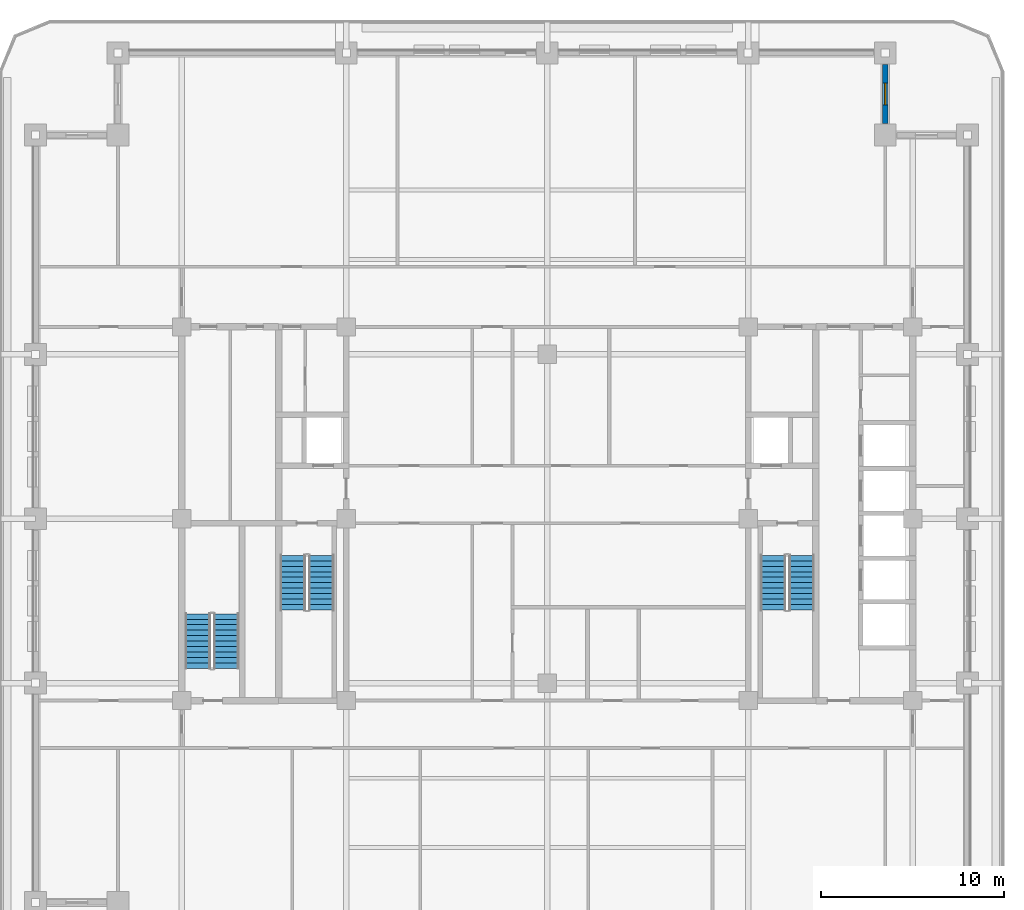
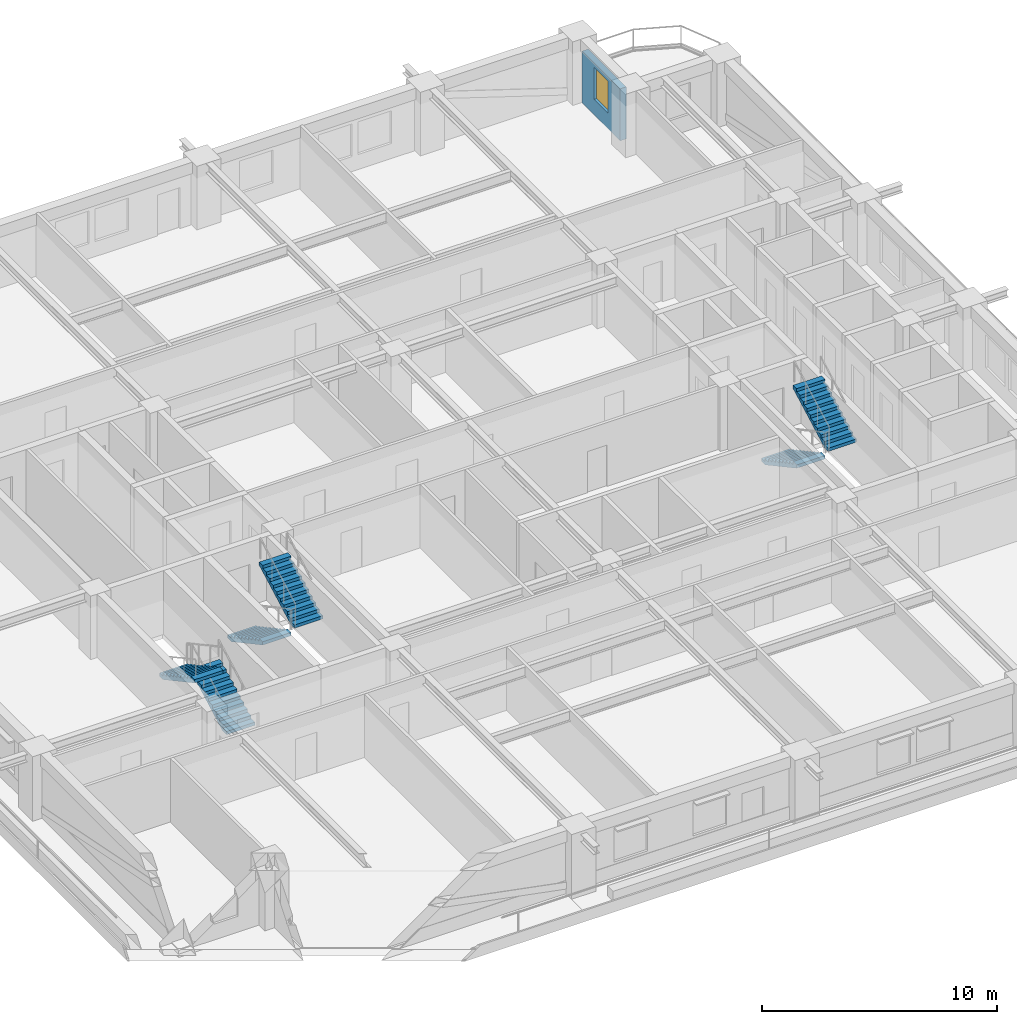
# One storey, part 7 of 16: 6 stair flights, 1 wall, 1 window, 1 opening, 3 elements without a shape of their own.
"""IFC4 building model written with IfcOpenShell, lengths in metres."""

import ifcopenshell
import ifcopenshell.guid

model = None  # the IFC model being written
_history = None  # IfcOwnerHistory: only IFC2X3 demands one
_inside = {}  # id of a spatial element -> (the spatial element, [elements in it])
_under = {}  # id of a project, library or spatial element -> (it, [spatial elements below it])
_declared = {}  # id of a project -> (the project, [libraries it declares])
_typed = {}  # id of a type object -> (the type object, [elements of that type])
_made_of = {}  # id of a material, layer set ... -> (it, [elements and type objects made of it])


def new_model(schema):
    """Start an empty IFC model of exactly this schema.

    Asked for "IFC4X3", IfcOpenShell would pick the latest addendum, in which some entities
    have other attributes; the version numbers below select the first issue.
    IFC2X3 requires an IfcOwnerHistory on every rooted entity: one is made here for all.
    """
    global model, _history
    if schema == "IFC4X3":
        model = ifcopenshell.file(schema_version=(4, 3, 0, 0))
    else:
        model = ifcopenshell.file(schema=schema)
    _inside.clear()
    _under.clear()
    _declared.clear()
    _typed.clear()
    _made_of.clear()
    _history = None
    if model.schema == "IFC2X3":
        org = make("IfcOrganization", Name="unknown")
        user = make(
            "IfcPersonAndOrganization",
            ThePerson=make("IfcPerson", FamilyName="unknown"),
            TheOrganization=org,
        )
        app = make(
            "IfcApplication",
            ApplicationDeveloper=org,
            Version="unknown",
            ApplicationFullName="unknown",
            ApplicationIdentifier="unknown",
        )
        _history = make(
            "IfcOwnerHistory",
            OwningUser=user,
            OwningApplication=app,
            ChangeAction="ADDED",
            CreationDate=0,
        )
    return model


def make(cls, **values):
    """One entity of the class cls with the attributes given. An attribute that is None is left unset."""
    return model.create_entity(
        cls, **{name: value for name, value in values.items() if value is not None}
    )


def rooted(cls, **values):
    """An entity with a GlobalId (a new one), such as an element, a storey or a relation."""
    return make(cls, GlobalId=ifcopenshell.guid.new(), OwnerHistory=_history, **values)


def si_unit(unit_type, name, prefix=None):
    """IfcSIUnit, for example si_unit("LENGTHUNIT", "METRE", prefix="MILLI")."""
    return make("IfcSIUnit", UnitType=unit_type, Prefix=prefix, Name=name)


def assignment(units):
    """IfcUnitAssignment: the units of a project."""
    return None if units is None else make("IfcUnitAssignment", Units=units)


def point(xyz):
    """IfcCartesianPoint."""
    return None if xyz is None else make("IfcCartesianPoint", Coordinates=xyz)


def direction(xyz):
    """IfcDirection."""
    return None if xyz is None else make("IfcDirection", DirectionRatios=xyz)


def frame(location, z_axis=None, x_axis=None):
    """IfcAxis2Placement3D, a coordinate frame: its origin and axes. An axis left out is left unset."""
    return make(
        "IfcAxis2Placement3D",
        Location=point(location),
        Axis=direction(z_axis),
        RefDirection=direction(x_axis),
    )


def frame_2d(location, x_axis=None):
    """IfcAxis2Placement2D, a coordinate frame in the plane: its origin and x axis."""
    return make(
        "IfcAxis2Placement2D", Location=point(location), RefDirection=direction(x_axis)
    )


def origin():
    """The frame at (0, 0, 0) with its axes left unset."""
    return frame((0.0, 0.0, 0.0))


def place(relative_to, where):
    """IfcLocalPlacement: puts the frame where relative to a parent placement (None: the world)."""
    return make(
        "IfcLocalPlacement", PlacementRelTo=relative_to, RelativePlacement=where
    )


def context(
    kind, dimensions, precision=None, world=None, true_north=None, identifier=None
):
    """IfcGeometricRepresentationContext, for example the 3D "Model" context."""
    return make(
        "IfcGeometricRepresentationContext",
        ContextIdentifier=identifier,
        ContextType=kind,
        CoordinateSpaceDimension=dimensions,
        Precision=precision,
        WorldCoordinateSystem=world,
        TrueNorth=true_north,
    )


def subcontext(parent, identifier, kind, view, scale=None):
    """IfcGeometricRepresentationSubContext, for example "Body" below "Model"."""
    return make(
        "IfcGeometricRepresentationSubContext",
        ContextIdentifier=identifier,
        ContextType=kind,
        ParentContext=parent,
        TargetScale=scale,
        TargetView=view,
    )


def project(units=None, contexts=None):
    """IfcProject with its units and contexts."""
    return rooted(
        "IfcProject",
        Name="project",
        RepresentationContexts=contexts,
        UnitsInContext=assignment(units),
    )


def spatial(cls, under=None, at=None, **own):
    """A site, building, storey or space (cls), placed at a placement, below another one or the project."""
    s = rooted(cls, ObjectPlacement=at, **own)
    if under is not None:
        _under.setdefault(under.id(), (under, []))[1].append(s)
    return s


def polyline(points):
    """IfcPolyline through the points."""
    return make("IfcPolyline", Points=[point(p) for p in points])


def profile(cls, at=None, kind="AREA", **sizes):
    """A parametric profile (cls). Its sizes go by their IFC names, for example OverallWidth=200.0."""
    return make(cls, ProfileType=kind, Position=at, **sizes)


def rectangle(**sizes):
    """IfcRectangleProfileDef."""
    return profile("IfcRectangleProfileDef", **sizes)


def outline(outer, holes=None, kind="AREA"):
    """IfcArbitraryClosedProfileDef: a profile drawn as a closed curve; with holes, ...WithVoids."""
    if holes is None:
        return make("IfcArbitraryClosedProfileDef", ProfileType=kind, OuterCurve=outer)
    return make(
        "IfcArbitraryProfileDefWithVoids",
        ProfileType=kind,
        OuterCurve=outer,
        InnerCurves=holes,
    )


def extrude(swept, where, along, depth):
    """IfcExtrudedAreaSolid: the profile swept, set in the frame where, extruded along a direction by depth."""
    return make(
        "IfcExtrudedAreaSolid",
        SweptArea=swept,
        Position=where,
        ExtrudedDirection=direction(along),
        Depth=depth,
    )


def shape(context_of_items, identifier, shape_type, items):
    """IfcShapeRepresentation: the items that make up one representation, for example the "Body"."""
    return make(
        "IfcShapeRepresentation",
        ContextOfItems=context_of_items,
        RepresentationIdentifier=identifier,
        RepresentationType=shape_type,
        Items=items,
    )


def material(Name=None, Category=None):
    """IfcMaterial."""
    return make("IfcMaterial", Name=Name, Category=Category)


def layer(
    of_material, thickness, ventilated=None, Name=None, Category=None, Priority=None
):
    """IfcMaterialLayer: one layer of a wall or slab, of a material (None: an air gap)."""
    return make(
        "IfcMaterialLayer",
        Material=of_material,
        LayerThickness=thickness,
        IsVentilated=ventilated,
        Name=Name,
        Category=Category,
        Priority=Priority,
    )


def layer_set(layers, Name=None):
    """IfcMaterialLayerSet."""
    return make("IfcMaterialLayerSet", MaterialLayers=layers, LayerSetName=Name)


def made_of(thing, what):
    """Note that an element or type object is made of a material, layer set ...; save() writes the relation."""
    if what is not None:
        _made_of.setdefault(what.id(), (what, []))[1].append(thing)
    return thing


def type_object(cls, material=None, **own):
    """A type object (cls), such as IfcWallType, which elements share."""
    return made_of(rooted(cls, **own), material)


def element(
    cls,
    number,
    at=None,
    inside=None,
    cuts=None,
    type_object=None,
    material=None,
    context=None,
    identifier="Body",
    shape_type=None,
    held_by="IfcProductDefinitionShape",
    body=None,
    shapes=None,
    **own,
):
    """One element of the class cls, such as IfcWall. Its Tag is "e" and its number.

    at: its placement. inside: the storey or other place that contains it. cuts: it is an
    opening in that element (IfcRelVoidsElement). A single representation is given by context,
    identifier, shape_type and body (its items); several are given by shapes. held_by: the class
    of the entity that holds the representations. save() writes the other relations.
    """
    e = rooted(cls, Tag="e%d" % number, ObjectPlacement=at, **own)
    if body is not None:
        shapes = [shape(context, identifier, shape_type, body)]
    if shapes is not None:
        e.Representation = make(held_by, Representations=shapes)
    if inside is not None:
        _inside.setdefault(inside.id(), (inside, []))[1].append(e)
    if cuts is not None:
        rooted(
            "IfcRelVoidsElement", RelatingBuildingElement=cuts, RelatedOpeningElement=e
        )
    if type_object is not None:
        _typed.setdefault(type_object.id(), (type_object, []))[1].append(e)
    return made_of(e, material)


def fill(opening, filler):
    """IfcRelFillsElement: the door or window that sits in an opening."""
    return rooted(
        "IfcRelFillsElement",
        RelatingOpeningElement=opening,
        RelatedBuildingElement=filler,
    )


def aggregate(whole, parts):
    """IfcRelAggregates: a whole, such as a stair, and the parts it consists of."""
    return rooted("IfcRelAggregates", RelatingObject=whole, RelatedObjects=parts)


def save(model, path):
    """Write the relations noted so far, then the file.

    IfcRelAggregates (storeys below a building ...), IfcRelContainedInSpatialStructure (elements
    in a storey), IfcRelDefinesByType, IfcRelAssociatesMaterial and IfcRelDeclares: one each for
    every whole, place, type object, material and project.
    """
    for whole, parts in _under.values():
        aggregate(whole, parts)
    for where, things in _inside.values():
        rooted(
            "IfcRelContainedInSpatialStructure",
            RelatedElements=things,
            RelatingStructure=where,
        )
    for kind, things in _typed.values():
        rooted("IfcRelDefinesByType", RelatedObjects=things, RelatingType=kind)
    for what, things in _made_of.values():
        rooted("IfcRelAssociatesMaterial", RelatedObjects=things, RelatingMaterial=what)
    for by, libraries in _declared.values():
        rooted("IfcRelDeclares", RelatingContext=by, RelatedDefinitions=libraries)
    model.write(path)


model = new_model("IFC4")

# Units and contexts
model_context = context("Model", 3, precision=1e-05, world=origin(), true_north=direction((0.0, 1.0)))
body_context = subcontext(model_context, "Body", "Model", "MODEL_VIEW")
ifc_project = project(units=[si_unit("LENGTHUNIT", "METRE"), si_unit("AREAUNIT", "SQUARE_METRE"), si_unit("VOLUMEUNIT", "CUBIC_METRE"), si_unit("PLANEANGLEUNIT", "RADIAN"), si_unit("MASSUNIT", "GRAM", prefix="KILO")], contexts=[model_context])

# Site, building, storey
site_placement = place(None, origin())
site = spatial("IfcSite", under=ifc_project, at=site_placement, CompositionType="ELEMENT")
building_placement = place(site_placement, origin())
building = spatial("IfcBuilding", under=site, at=building_placement, Name="Zulmaris Gate Convention Tower", CompositionType="ELEMENT")
storey_placement = place(building_placement, frame((0.0, 0.0, 124.919921875)))
storey = spatial("IfcBuildingStorey", under=building, at=storey_placement, Name="L31", CompositionType="ELEMENT", Elevation=124.919921875)

# Wall, opening, window
ifc_material_1 = material(Name="Precast concrete C40/50", Category="concrete")
ifc_layer_1 = layer(ifc_material_1, 0.300048828125, Name="Precast concrete C40/50")
ifc_layer_set_1 = layer_set([ifc_layer_1], Name="Precast concrete C40/50")
wall_type = type_object("IfcWallType", Name="PRECAST-PIER-300", PredefinedType="STANDARD", material=ifc_layer_set_1)
wall_placement = place(storey_placement, frame((18.5, 21.6298828125, 0.0), z_axis=(0.0, 0.0, 1.0), x_axis=(0.0, 1.0, 0.0)))
wall = element("IfcWall", 1, at=wall_placement, inside=storey, type_object=wall_type, Name="EW-L31-NOTCH-NE2_0", PredefinedType="STANDARD", context=body_context, shape_type="SweptSolid", body=[
    extrude(rectangle(XDim=3.240234375, YDim=0.300048828125, at=frame_2d((1.6201171875, 0.0))), origin(), (0.0, 0.0, 1.0), 2.711669921875),
])
opening_placement = place(wall_placement, frame((1.02001953125, 0.0, 0.820068359375)))
opening = element("IfcOpeningElement", 2, at=opening_placement, cuts=wall, Name="Opening W-04", PredefinedType="OPENING", context=body_context, shape_type="SweptSolid", body=[
    extrude(rectangle(XDim=1.199951171875, YDim=1.64990234375, at=frame_2d((0.60009765625, 0.824951171875))), frame((0.0, 0.16015625, 0.0), z_axis=(0.0, -1.0, 0.0), x_axis=(1.0, 0.0, 0.0)), (0.0, 0.0, 1.0), 0.320068359375),
])
ifc_material_2 = material(Name="Low-E Laminated Double Glazing in Aluminium Frame", Category="aluminium")
window_type = type_object("IfcWindowType", Name="WIN-1200x2100", PartitioningType="SINGLE_PANEL", PredefinedType="WINDOW", material=ifc_material_2)
window_placement = place(opening_placement, origin())
window = element("IfcWindow", 3, at=window_placement, inside=storey, type_object=window_type, Name="WN-EW-L31-NOTCH-NE2_0", OverallHeight=1.64990234375, OverallWidth=1.199951171875, PartitioningType="SINGLE_PANEL", PredefinedType="WINDOW", context=body_context, shape_type="SweptSolid", body=[
    extrude(rectangle(XDim=1.199951171875, YDim=1.64990234375, at=frame_2d((0.60009765625, 0.824951171875))), frame((0.0, 0.030029296875, 0.0), z_axis=(0.0, -1.0, 0.0), x_axis=(1.0, 0.0, 0.0)), (0.0, 0.0, 1.0), 0.06005859375),
])
fill(opening, window)

# Stair, stair flights
ifc_material_3 = material(Name="Concrete C45/55", Category="concrete")
stair_type = type_object("IfcStairType", Name="ST-CORE-DOGLEG", PredefinedType="HALF_TURN_STAIR", material=ifc_material_3)
stair_1_placement = place(storey_placement, origin())
stair_1 = element("IfcStair", 4, at=stair_1_placement, inside=storey, type_object=stair_type, Name="L31 Core Exit Stair ST-1", PredefinedType="HALF_TURN_STAIR")
ifc_layer_2 = layer(ifc_material_3, 0.14990234375, Name="Concrete C45/55")
ifc_layer_set_2 = layer_set([ifc_layer_2], Name="Concrete C45/55")
stair_flight_type = type_object("IfcStairFlightType", Name="STF-RC150", PredefinedType="STRAIGHT", material=ifc_layer_set_2)
stair_flight_1_placement = place(storey_placement, frame((-13.919921875, -2.0, 0.0), z_axis=(0.0, 0.0, 1.0), x_axis=(0.0, -1.0, 0.0)))
stair_flight_1 = element("IfcStairFlight", 5, at=stair_flight_1_placement, type_object=stair_flight_type, Name="ST-1 flight 1", NumberOfRisers=11, NumberOfTreads=10, PredefinedType="STRAIGHT", RiserHeight=0.162263636, TreadLength=0.3, context=body_context, shape_type="SweptSolid", body=[
    extrude(outline(polyline([(0.0, 0.0), (0.0, 0.162353515625), (0.300048828125, 0.162353515625), (0.300048828125, 0.324462890625), (0.60009765625, 0.324462890625), (0.60009765625, 0.48681640625), (0.89990234375, 0.48681640625), (0.89990234375, 0.649169921875), (1.199951171875, 0.649169921875), (1.199951171875, 0.811279296875), (1.5, 0.811279296875), (1.5, 0.9736328125), (1.800048828125, 0.9736328125), (1.800048828125, 1.1357421875), (2.10009765625, 1.1357421875), (2.10009765625, 1.298095703125), (2.39990234375, 1.298095703125), (2.39990234375, 1.46044921875), (2.699951171875, 1.46044921875), (2.699951171875, 1.62255859375), (3.0, 1.62255859375), (3.0, 1.784912109375), (3.0, 1.4521484375), (0.315185546875, 0.0), (0.0, 0.0)])), frame((0.0, 0.699951171875, 0.0), z_axis=(0.0, -1.0, 0.0), x_axis=(1.0, 0.0, 0.0)), (0.0, 0.0, 1.0), 1.39990234375),
])
stair_flight_2_placement = place(storey_placement, frame((-12.360107421875, -5.0, 1.784912109375), z_axis=(0.0, 0.0, 1.0), x_axis=(0.0, 1.0, 0.0)))
stair_flight_2 = element("IfcStairFlight", 6, at=stair_flight_2_placement, type_object=stair_flight_type, Name="ST-1 flight 2", NumberOfRisers=11, NumberOfTreads=10, PredefinedType="STRAIGHT", RiserHeight=0.162263636, TreadLength=0.3, context=body_context, shape_type="SweptSolid", body=[
    extrude(outline(polyline([(0.0, 0.0), (0.0, 0.162353515625), (0.300048828125, 0.162353515625), (0.300048828125, 0.324462890625), (0.60009765625, 0.324462890625), (0.60009765625, 0.48681640625), (0.89990234375, 0.48681640625), (0.89990234375, 0.649169921875), (1.199951171875, 0.649169921875), (1.199951171875, 0.811279296875), (1.5, 0.811279296875), (1.5, 0.9736328125), (1.800048828125, 0.9736328125), (1.800048828125, 1.1357421875), (2.10009765625, 1.1357421875), (2.10009765625, 1.298095703125), (2.39990234375, 1.298095703125), (2.39990234375, 1.46044921875), (2.699951171875, 1.46044921875), (2.699951171875, 1.62255859375), (3.0, 1.62255859375), (3.0, 1.784912109375), (3.0, 1.4521484375), (0.315185546875, 0.0), (0.0, 0.0)])), frame((0.0, 0.699951171875, 0.0), z_axis=(0.0, -1.0, 0.0), x_axis=(1.0, 0.0, 0.0)), (0.0, 0.0, 1.0), 1.39990234375),
])
aggregate(stair_1, [stair_flight_1, stair_flight_2])

stair_2_placement = place(storey_placement, origin())
stair_2 = element("IfcStair", 7, at=stair_2_placement, inside=storey, type_object=stair_type, Name="L31 Core Exit Stair ST-2", PredefinedType="HALF_TURN_STAIR")
stair_flight_3_placement = place(storey_placement, frame((12.360107421875, -2.0, 0.0), z_axis=(0.0, 0.0, 1.0), x_axis=(0.0, -1.0, 0.0)))
stair_flight_3 = element("IfcStairFlight", 8, at=stair_flight_3_placement, type_object=stair_flight_type, Name="ST-2 flight 1", NumberOfRisers=11, NumberOfTreads=10, PredefinedType="STRAIGHT", RiserHeight=0.162263636, TreadLength=0.3, context=body_context, shape_type="SweptSolid", body=[
    extrude(outline(polyline([(0.0, 0.0), (0.0, 0.162353515625), (0.300048828125, 0.162353515625), (0.300048828125, 0.324462890625), (0.60009765625, 0.324462890625), (0.60009765625, 0.48681640625), (0.89990234375, 0.48681640625), (0.89990234375, 0.649169921875), (1.199951171875, 0.649169921875), (1.199951171875, 0.811279296875), (1.5, 0.811279296875), (1.5, 0.9736328125), (1.800048828125, 0.9736328125), (1.800048828125, 1.1357421875), (2.10009765625, 1.1357421875), (2.10009765625, 1.298095703125), (2.39990234375, 1.298095703125), (2.39990234375, 1.46044921875), (2.699951171875, 1.46044921875), (2.699951171875, 1.62255859375), (3.0, 1.62255859375), (3.0, 1.784912109375), (3.0, 1.4521484375), (0.315185546875, 0.0), (0.0, 0.0)])), frame((0.0, 0.699951171875, 0.0), z_axis=(0.0, -1.0, 0.0), x_axis=(1.0, 0.0, 0.0)), (0.0, 0.0, 1.0), 1.39990234375),
])
stair_flight_4_placement = place(storey_placement, frame((13.919921875, -5.0, 1.784912109375), z_axis=(0.0, 0.0, 1.0), x_axis=(0.0, 1.0, 0.0)))
stair_flight_4 = element("IfcStairFlight", 9, at=stair_flight_4_placement, type_object=stair_flight_type, Name="ST-2 flight 2", NumberOfRisers=11, NumberOfTreads=10, PredefinedType="STRAIGHT", RiserHeight=0.162263636, TreadLength=0.3, context=body_context, shape_type="SweptSolid", body=[
    extrude(outline(polyline([(0.0, 0.0), (0.0, 0.162353515625), (0.300048828125, 0.162353515625), (0.300048828125, 0.324462890625), (0.60009765625, 0.324462890625), (0.60009765625, 0.48681640625), (0.89990234375, 0.48681640625), (0.89990234375, 0.649169921875), (1.199951171875, 0.649169921875), (1.199951171875, 0.811279296875), (1.5, 0.811279296875), (1.5, 0.9736328125), (1.800048828125, 0.9736328125), (1.800048828125, 1.1357421875), (2.10009765625, 1.1357421875), (2.10009765625, 1.298095703125), (2.39990234375, 1.298095703125), (2.39990234375, 1.46044921875), (2.699951171875, 1.46044921875), (2.699951171875, 1.62255859375), (3.0, 1.62255859375), (3.0, 1.784912109375), (3.0, 1.4521484375), (0.315185546875, 0.0), (0.0, 0.0)])), frame((0.0, 0.699951171875, 0.0), z_axis=(0.0, -1.0, 0.0), x_axis=(1.0, 0.0, 0.0)), (0.0, 0.0, 1.0), 1.39990234375),
])
aggregate(stair_2, [stair_flight_3, stair_flight_4])

stair_3_placement = place(storey_placement, origin())
stair_3 = element("IfcStair", 10, at=stair_3_placement, inside=storey, type_object=stair_type, Name="L31 Core Exit Stair ST-3", PredefinedType="HALF_TURN_STAIR")
stair_flight_5_placement = place(storey_placement, frame((-17.56005859375, -8.199951171875, 0.0), z_axis=(0.0, 0.0, 1.0), x_axis=(0.0, 1.0, 0.0)))
stair_flight_5 = element("IfcStairFlight", 11, at=stair_flight_5_placement, type_object=stair_flight_type, Name="ST-3 flight 1", NumberOfRisers=11, NumberOfTreads=10, PredefinedType="STRAIGHT", RiserHeight=0.162263636, TreadLength=0.3, context=body_context, shape_type="SweptSolid", body=[
    extrude(outline(polyline([(0.0, 0.0), (0.0, 0.162353515625), (0.300048828125, 0.162353515625), (0.300048828125, 0.324462890625), (0.60009765625, 0.324462890625), (0.60009765625, 0.48681640625), (0.89990234375, 0.48681640625), (0.89990234375, 0.649169921875), (1.199951171875, 0.649169921875), (1.199951171875, 0.811279296875), (1.5, 0.811279296875), (1.5, 0.9736328125), (1.800048828125, 0.9736328125), (1.800048828125, 1.1357421875), (2.10009765625, 1.1357421875), (2.10009765625, 1.298095703125), (2.39990234375, 1.298095703125), (2.39990234375, 1.46044921875), (2.699951171875, 1.46044921875), (2.699951171875, 1.62255859375), (3.0, 1.62255859375), (3.0, 1.784912109375), (3.0, 1.4521484375), (0.315185546875, 0.0), (0.0, 0.0)])), frame((0.0, 0.699951171875, 0.0), z_axis=(0.0, -1.0, 0.0), x_axis=(1.0, 0.0, 0.0)), (0.0, 0.0, 1.0), 1.39990234375),
])
stair_flight_6_placement = place(storey_placement, frame((-19.1201171875, -5.199951171875, 1.784912109375), z_axis=(0.0, 0.0, 1.0), x_axis=(0.0, -1.0, 0.0)))
stair_flight_6 = element("IfcStairFlight", 12, at=stair_flight_6_placement, type_object=stair_flight_type, Name="ST-3 flight 2", NumberOfRisers=11, NumberOfTreads=10, PredefinedType="STRAIGHT", RiserHeight=0.162263636, TreadLength=0.3, context=body_context, shape_type="SweptSolid", body=[
    extrude(outline(polyline([(0.0, 0.0), (0.0, 0.162353515625), (0.300048828125, 0.162353515625), (0.300048828125, 0.324462890625), (0.60009765625, 0.324462890625), (0.60009765625, 0.48681640625), (0.89990234375, 0.48681640625), (0.89990234375, 0.649169921875), (1.199951171875, 0.649169921875), (1.199951171875, 0.811279296875), (1.5, 0.811279296875), (1.5, 0.9736328125), (1.800048828125, 0.9736328125), (1.800048828125, 1.1357421875), (2.10009765625, 1.1357421875), (2.10009765625, 1.298095703125), (2.39990234375, 1.298095703125), (2.39990234375, 1.46044921875), (2.699951171875, 1.46044921875), (2.699951171875, 1.62255859375), (3.0, 1.62255859375), (3.0, 1.784912109375), (3.0, 1.4521484375), (0.315185546875, 0.0), (0.0, 0.0)])), frame((0.0, 0.699951171875, 0.0), z_axis=(0.0, -1.0, 0.0), x_axis=(1.0, 0.0, 0.0)), (0.0, 0.0, 1.0), 1.39990234375),
])
aggregate(stair_3, [stair_flight_5, stair_flight_6])

save(model, "model.ifc")
